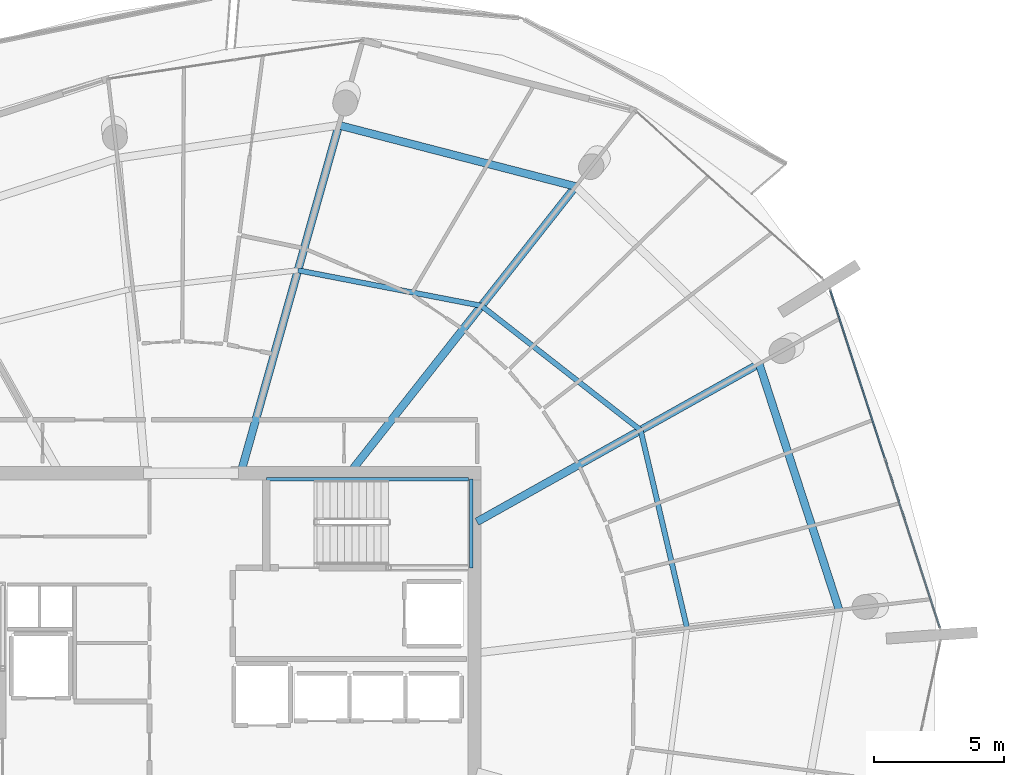
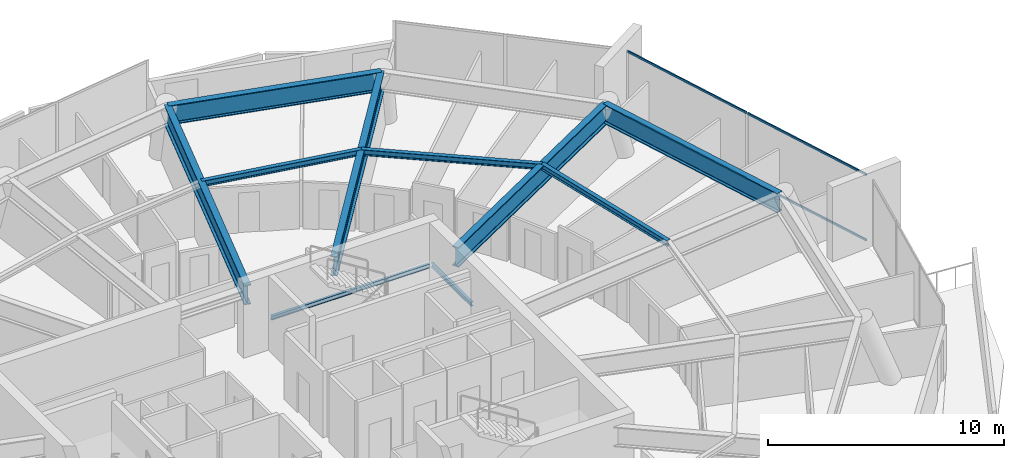
# One storey, part 13 of 27: 10 beams, 4 members, 1 element without a shape of its own.
"""IFC4 building model written with IfcOpenShell, lengths in metres."""

import ifcopenshell
import ifcopenshell.guid

model = None  # the IFC model being written
_history = None  # IfcOwnerHistory: only IFC2X3 demands one
_inside = {}  # id of a spatial element -> (the spatial element, [elements in it])
_under = {}  # id of a project, library or spatial element -> (it, [spatial elements below it])
_declared = {}  # id of a project -> (the project, [libraries it declares])
_typed = {}  # id of a type object -> (the type object, [elements of that type])
_made_of = {}  # id of a material, layer set ... -> (it, [elements and type objects made of it])


def new_model(schema):
    """Start an empty IFC model of exactly this schema.

    Asked for "IFC4X3", IfcOpenShell would pick the latest addendum, in which some entities
    have other attributes; the version numbers below select the first issue.
    IFC2X3 requires an IfcOwnerHistory on every rooted entity: one is made here for all.
    """
    global model, _history
    if schema == "IFC4X3":
        model = ifcopenshell.file(schema_version=(4, 3, 0, 0))
    else:
        model = ifcopenshell.file(schema=schema)
    _inside.clear()
    _under.clear()
    _declared.clear()
    _typed.clear()
    _made_of.clear()
    _history = None
    if model.schema == "IFC2X3":
        org = make("IfcOrganization", Name="unknown")
        user = make(
            "IfcPersonAndOrganization",
            ThePerson=make("IfcPerson", FamilyName="unknown"),
            TheOrganization=org,
        )
        app = make(
            "IfcApplication",
            ApplicationDeveloper=org,
            Version="unknown",
            ApplicationFullName="unknown",
            ApplicationIdentifier="unknown",
        )
        _history = make(
            "IfcOwnerHistory",
            OwningUser=user,
            OwningApplication=app,
            ChangeAction="ADDED",
            CreationDate=0,
        )
    return model


def make(cls, **values):
    """One entity of the class cls with the attributes given. An attribute that is None is left unset."""
    return model.create_entity(
        cls, **{name: value for name, value in values.items() if value is not None}
    )


def rooted(cls, **values):
    """An entity with a GlobalId (a new one), such as an element, a storey or a relation."""
    return make(cls, GlobalId=ifcopenshell.guid.new(), OwnerHistory=_history, **values)


def si_unit(unit_type, name, prefix=None):
    """IfcSIUnit, for example si_unit("LENGTHUNIT", "METRE", prefix="MILLI")."""
    return make("IfcSIUnit", UnitType=unit_type, Prefix=prefix, Name=name)


def assignment(units):
    """IfcUnitAssignment: the units of a project."""
    return None if units is None else make("IfcUnitAssignment", Units=units)


def point(xyz):
    """IfcCartesianPoint."""
    return None if xyz is None else make("IfcCartesianPoint", Coordinates=xyz)


def direction(xyz):
    """IfcDirection."""
    return None if xyz is None else make("IfcDirection", DirectionRatios=xyz)


def frame(location, z_axis=None, x_axis=None):
    """IfcAxis2Placement3D, a coordinate frame: its origin and axes. An axis left out is left unset."""
    return make(
        "IfcAxis2Placement3D",
        Location=point(location),
        Axis=direction(z_axis),
        RefDirection=direction(x_axis),
    )


def frame_2d(location, x_axis=None):
    """IfcAxis2Placement2D, a coordinate frame in the plane: its origin and x axis."""
    return make(
        "IfcAxis2Placement2D", Location=point(location), RefDirection=direction(x_axis)
    )


def origin():
    """The frame at (0, 0, 0) with its axes left unset."""
    return frame((0.0, 0.0, 0.0))


def origin_2d():
    """The frame at (0, 0) in the plane with its x axis left unset."""
    return frame_2d((0.0, 0.0))


def place(relative_to, where):
    """IfcLocalPlacement: puts the frame where relative to a parent placement (None: the world)."""
    return make(
        "IfcLocalPlacement", PlacementRelTo=relative_to, RelativePlacement=where
    )


def context(
    kind, dimensions, precision=None, world=None, true_north=None, identifier=None
):
    """IfcGeometricRepresentationContext, for example the 3D "Model" context."""
    return make(
        "IfcGeometricRepresentationContext",
        ContextIdentifier=identifier,
        ContextType=kind,
        CoordinateSpaceDimension=dimensions,
        Precision=precision,
        WorldCoordinateSystem=world,
        TrueNorth=true_north,
    )


def subcontext(parent, identifier, kind, view, scale=None):
    """IfcGeometricRepresentationSubContext, for example "Body" below "Model"."""
    return make(
        "IfcGeometricRepresentationSubContext",
        ContextIdentifier=identifier,
        ContextType=kind,
        ParentContext=parent,
        TargetScale=scale,
        TargetView=view,
    )


def project(units=None, contexts=None):
    """IfcProject with its units and contexts."""
    return rooted(
        "IfcProject",
        Name="project",
        RepresentationContexts=contexts,
        UnitsInContext=assignment(units),
    )


def spatial(cls, under=None, at=None, **own):
    """A site, building, storey or space (cls), placed at a placement, below another one or the project."""
    s = rooted(cls, ObjectPlacement=at, **own)
    if under is not None:
        _under.setdefault(under.id(), (under, []))[1].append(s)
    return s


def profile(cls, at=None, kind="AREA", **sizes):
    """A parametric profile (cls). Its sizes go by their IFC names, for example OverallWidth=200.0."""
    return make(cls, ProfileType=kind, Position=at, **sizes)


def rectangle(**sizes):
    """IfcRectangleProfileDef."""
    return profile("IfcRectangleProfileDef", **sizes)


def i_section(**sizes):
    """IfcIShapeProfileDef."""
    return profile("IfcIShapeProfileDef", **sizes)


def extrude(swept, where, along, depth):
    """IfcExtrudedAreaSolid: the profile swept, set in the frame where, extruded along a direction by depth."""
    return make(
        "IfcExtrudedAreaSolid",
        SweptArea=swept,
        Position=where,
        ExtrudedDirection=direction(along),
        Depth=depth,
    )


def shape(context_of_items, identifier, shape_type, items):
    """IfcShapeRepresentation: the items that make up one representation, for example the "Body"."""
    return make(
        "IfcShapeRepresentation",
        ContextOfItems=context_of_items,
        RepresentationIdentifier=identifier,
        RepresentationType=shape_type,
        Items=items,
    )


def material(Name=None, Category=None):
    """IfcMaterial."""
    return make("IfcMaterial", Name=Name, Category=Category)


def layer(
    of_material, thickness, ventilated=None, Name=None, Category=None, Priority=None
):
    """IfcMaterialLayer: one layer of a wall or slab, of a material (None: an air gap)."""
    return make(
        "IfcMaterialLayer",
        Material=of_material,
        LayerThickness=thickness,
        IsVentilated=ventilated,
        Name=Name,
        Category=Category,
        Priority=Priority,
    )


def layer_set(layers, Name=None):
    """IfcMaterialLayerSet."""
    return make("IfcMaterialLayerSet", MaterialLayers=layers, LayerSetName=Name)


def material_profile(
    of_material, cross_section, Name=None, Category=None, Priority=None
):
    """IfcMaterialProfile: a cross section and its material."""
    return make(
        "IfcMaterialProfile",
        Name=Name,
        Material=of_material,
        Profile=cross_section,
        Priority=Priority,
        Category=Category,
    )


def profile_set(profiles, Name=None, composite=None):
    """IfcMaterialProfileSet."""
    return make(
        "IfcMaterialProfileSet",
        Name=Name,
        MaterialProfiles=profiles,
        CompositeProfile=composite,
    )


def made_of(thing, what):
    """Note that an element or type object is made of a material, layer set ...; save() writes the relation."""
    if what is not None:
        _made_of.setdefault(what.id(), (what, []))[1].append(thing)
    return thing


def type_object(cls, material=None, **own):
    """A type object (cls), such as IfcWallType, which elements share."""
    return made_of(rooted(cls, **own), material)


def element(
    cls,
    number,
    at=None,
    inside=None,
    cuts=None,
    type_object=None,
    material=None,
    context=None,
    identifier="Body",
    shape_type=None,
    held_by="IfcProductDefinitionShape",
    body=None,
    shapes=None,
    **own,
):
    """One element of the class cls, such as IfcWall. Its Tag is "e" and its number.

    at: its placement. inside: the storey or other place that contains it. cuts: it is an
    opening in that element (IfcRelVoidsElement). A single representation is given by context,
    identifier, shape_type and body (its items); several are given by shapes. held_by: the class
    of the entity that holds the representations. save() writes the other relations.
    """
    e = rooted(cls, Tag="e%d" % number, ObjectPlacement=at, **own)
    if body is not None:
        shapes = [shape(context, identifier, shape_type, body)]
    if shapes is not None:
        e.Representation = make(held_by, Representations=shapes)
    if inside is not None:
        _inside.setdefault(inside.id(), (inside, []))[1].append(e)
    if cuts is not None:
        rooted(
            "IfcRelVoidsElement", RelatingBuildingElement=cuts, RelatedOpeningElement=e
        )
    if type_object is not None:
        _typed.setdefault(type_object.id(), (type_object, []))[1].append(e)
    return made_of(e, material)


def aggregate(whole, parts):
    """IfcRelAggregates: a whole, such as a stair, and the parts it consists of."""
    return rooted("IfcRelAggregates", RelatingObject=whole, RelatedObjects=parts)


def save(model, path):
    """Write the relations noted so far, then the file.

    IfcRelAggregates (storeys below a building ...), IfcRelContainedInSpatialStructure (elements
    in a storey), IfcRelDefinesByType, IfcRelAssociatesMaterial and IfcRelDeclares: one each for
    every whole, place, type object, material and project.
    """
    for whole, parts in _under.values():
        aggregate(whole, parts)
    for where, things in _inside.values():
        rooted(
            "IfcRelContainedInSpatialStructure",
            RelatedElements=things,
            RelatingStructure=where,
        )
    for kind, things in _typed.values():
        rooted("IfcRelDefinesByType", RelatedObjects=things, RelatingType=kind)
    for what, things in _made_of.values():
        rooted("IfcRelAssociatesMaterial", RelatedObjects=things, RelatingMaterial=what)
    for by, libraries in _declared.values():
        rooted("IfcRelDeclares", RelatingContext=by, RelatedDefinitions=libraries)
    model.write(path)


model = new_model("IFC4")

# Units and contexts
model_context = context("Model", 3, precision=1e-05, world=origin(), true_north=direction((0.0, 1.0)))
body_context = subcontext(model_context, "Body", "Model", "MODEL_VIEW")
ifc_project = project(units=[si_unit("LENGTHUNIT", "METRE"), si_unit("AREAUNIT", "SQUARE_METRE"), si_unit("VOLUMEUNIT", "CUBIC_METRE"), si_unit("PLANEANGLEUNIT", "RADIAN"), si_unit("MASSUNIT", "GRAM", prefix="KILO")], contexts=[model_context])

# Site, building, storey
site_placement = place(None, origin())
site = spatial("IfcSite", under=ifc_project, at=site_placement, CompositionType="ELEMENT")
building_placement = place(site_placement, origin())
building = spatial("IfcBuilding", under=site, at=building_placement, Name="Kazma Halo Residences", CompositionType="ELEMENT")
storey_placement = place(building_placement, frame((0.0, 0.0, 306.0)))
storey = spatial("IfcBuildingStorey", under=building, at=storey_placement, Name="L77", CompositionType="ELEMENT", Elevation=306.0)

# Beams
ifc_material_1 = material(Name="Steel S355", Category="steel")
ifc_material_profile_1 = material_profile(ifc_material_1, i_section(OverallWidth=0.202880859375, OverallDepth=0.302978515625, WebThickness=0.007568359375, FlangeThickness=0.01318359375, FilletRadius=0.013916015625, at=origin_2d()), Name="W310x60")
ifc_profile_set_1 = profile_set([ifc_material_profile_1], Name="Steel S355")
beam_type_1 = type_object("IfcBeamType", Name="BM-SEC-W310A", PredefinedType="JOIST", material=ifc_profile_set_1)
beam_1_placement = place(storey_placement, frame((65.68798828125, 51.90576171875, 3.298583984375), z_axis=(-0.788055861144, 0.615603735951, 0.0), x_axis=(-0.615603735951, -0.788055861144, 0.0)))
element("IfcBeam", 1, at=beam_1_placement, inside=storey, type_object=beam_type_1, Name="L77 circumferential floor joist 01", PredefinedType="JOIST", context=body_context, shape_type="SweptSolid", body=[
    extrude(i_section(OverallWidth=0.202880859375, OverallDepth=0.302978515625, WebThickness=0.007568359375, FlangeThickness=0.01318359375, FilletRadius=0.013916015625, at=origin_2d()), origin(), (0.0, 0.0, 1.0), 7.758056640625),
])
beam_2_placement = place(storey_placement, frame((59.57421875, 56.681640625, 3.298583984375), z_axis=(-0.981780669147, 0.190017677307, 0.0), x_axis=(-0.190017677307, -0.981780669147, 0.0)))
element("IfcBeam", 2, at=beam_2_placement, inside=storey, type_object=beam_type_1, Name="L77 circumferential floor joist 02", PredefinedType="JOIST", context=body_context, shape_type="SweptSolid", body=[
    extrude(i_section(OverallWidth=0.202880859375, OverallDepth=0.302978515625, WebThickness=0.007568359375, FlangeThickness=0.01318359375, FilletRadius=0.013916015625, at=origin_2d()), origin(), (0.0, 0.0, 1.0), 7.1796875),
])
beam_3_placement = place(storey_placement, frame((67.470703125, 44.3046875, 3.298583984375), z_axis=(-0.228338605797, 0.97358177936, 0.0), x_axis=(-0.97358177936, -0.228338605797, 0.0)))
element("IfcBeam", 3, at=beam_3_placement, inside=storey, type_object=beam_type_1, Name="L77 circumferential floor joist 16", PredefinedType="JOIST", context=body_context, shape_type="SweptSolid", body=[
    extrude(i_section(OverallWidth=0.202880859375, OverallDepth=0.302978515625, WebThickness=0.007568359375, FlangeThickness=0.01318359375, FilletRadius=0.013916015625, at=origin_2d()), origin(), (0.0, 0.0, 1.0), 7.807373046875),
])
ifc_material_profile_2 = material_profile(ifc_material_1, i_section(OverallWidth=0.302001953125, OverallDepth=1.01806640625, WebThickness=0.021484375, FlangeThickness=0.049072265625, FilletRadius=0.028076171875, at=origin_2d()), Name="W1000x443")
ifc_profile_set_2 = profile_set([ifc_material_profile_2], Name="Steel S355")
beam_type_2 = type_object("IfcBeamType", Name="BM-TRANS-W1000A", PredefinedType="BEAM", material=ifc_profile_set_2)
beam_4_placement = place(storey_placement, frame((59.39990234375, 48.38427734375, 2.94091796875), z_axis=(0.872501660463, 0.488611146506, 0.0), x_axis=(-0.488611146506, 0.872501660463, 0.0)))
element("IfcBeam", 4, at=beam_4_placement, inside=storey, type_object=beam_type_2, Name="L77 podium radial transfer girder 01", PredefinedType="BEAM", context=body_context, shape_type="SweptSolid", body=[
    extrude(i_section(OverallWidth=0.302001953125, OverallDepth=1.01806640625, WebThickness=0.021484375, FlangeThickness=0.049072265625, FilletRadius=0.028076171875, at=origin_2d()), origin(), (0.0, 0.0, 1.0), 12.426025390625),
])
beam_5_placement = place(storey_placement, frame((54.58251953125, 50.35009765625, 2.94091796875), z_axis=(0.619108297189, 0.785305619713, 0.0), x_axis=(-0.785305619713, 0.619108297189, 0.0)))
element("IfcBeam", 5, at=beam_5_placement, inside=storey, type_object=beam_type_2, Name="L77 podium radial transfer girder 02", PredefinedType="BEAM", context=body_context, shape_type="SweptSolid", body=[
    extrude(i_section(OverallWidth=0.302001953125, OverallDepth=1.01806640625, WebThickness=0.021484375, FlangeThickness=0.049072265625, FilletRadius=0.028076171875, at=origin_2d()), origin(), (0.0, 0.0, 1.0), 13.90087890625),
])
beam_6_placement = place(storey_placement, frame((50.35498046875, 50.35009765625, 2.94091796875), z_axis=(0.271440396256, 0.962455251573, 0.0), x_axis=(-0.962455251573, 0.271440396256, 0.0)))
element("IfcBeam", 6, at=beam_6_placement, inside=storey, type_object=beam_type_2, Name="L77 podium radial transfer girder 03", PredefinedType="BEAM", context=body_context, shape_type="SweptSolid", body=[
    extrude(i_section(OverallWidth=0.302001953125, OverallDepth=1.01806640625, WebThickness=0.021484375, FlangeThickness=0.049072265625, FilletRadius=0.028076171875, at=origin_2d()), origin(), (0.0, 0.0, 1.0), 13.786376953125),
])
ifc_material_profile_3 = material_profile(ifc_material_1, i_section(OverallWidth=0.300048828125, OverallDepth=1.0, WebThickness=0.01904296875, FlangeThickness=0.0400390625, FilletRadius=0.02587890625, at=origin_2d()), Name="W1000x371")
ifc_profile_set_3 = profile_set([ifc_material_profile_3], Name="Steel S355")
beam_type_3 = type_object("IfcBeamType", Name="BM-TRANS-W1000B", PredefinedType="BEAM", material=ifc_profile_set_3)
beam_7_placement = place(storey_placement, frame((63.188720703125, 61.2666015625, 2.949951171875), z_axis=(-0.968120285702, 0.250485752913, 0.0), x_axis=(-0.250485752913, -0.968120285702, 0.0)))
element("IfcBeam", 7, at=beam_7_placement, inside=storey, type_object=beam_type_3, Name="L77 perimeter ring beam 02", PredefinedType="BEAM", context=body_context, shape_type="SweptSolid", body=[
    extrude(i_section(OverallWidth=0.300048828125, OverallDepth=1.0, WebThickness=0.01904296875, FlangeThickness=0.0400390625, FilletRadius=0.02587890625, at=origin_2d()), origin(), (0.0, 0.0, 1.0), 9.390869140625),
])
beam_8_placement = place(storey_placement, frame((73.315185546875, 44.996337890625, 2.949951171875), z_axis=(-0.309009477853, 0.951058958528, 0.0), x_axis=(-0.951058958528, -0.309009477853, 0.0)))
element("IfcBeam", 8, at=beam_8_placement, inside=storey, type_object=beam_type_3, Name="L77 perimeter ring beam 16", PredefinedType="BEAM", context=body_context, shape_type="SweptSolid", body=[
    extrude(i_section(OverallWidth=0.300048828125, OverallDepth=1.0, WebThickness=0.01904296875, FlangeThickness=0.0400390625, FilletRadius=0.02587890625, at=origin_2d()), origin(), (0.0, 0.0, 1.0), 9.9462890625),
])
ifc_material_profile_4 = material_profile(ifc_material_1, i_section(OverallWidth=0.133056640625, OverallDepth=0.20703125, WebThickness=0.005859375, FlangeThickness=0.00830078125, FilletRadius=0.010009765625, at=origin_2d()), Name="W200x26.6")
ifc_profile_set_4 = profile_set([ifc_material_profile_4], Name="Steel S355")
beam_type_4 = type_object("IfcBeamType", Name="BM-TRIM-W200", PredefinedType="BEAM", material=ifc_profile_set_4)
beam_9_placement = place(storey_placement, frame((51.31005859375, 50.02001953125, 1.6201171875), z_axis=(1.0, 0.0, 0.0), x_axis=(0.0, 1.0, 0.0)))
element("IfcBeam", 9, at=beam_9_placement, inside=storey, type_object=beam_type_4, Name="L77 ST-02 landing north wall ledger", PredefinedType="BEAM", context=body_context, shape_type="SweptSolid", body=[
    extrude(i_section(OverallWidth=0.133056640625, OverallDepth=0.20703125, WebThickness=0.005859375, FlangeThickness=0.00830078125, FilletRadius=0.010009765625, at=origin_2d()), origin(), (0.0, 0.0, 1.0), 7.760009765625),
])
beam_10_placement = place(storey_placement, frame((59.18994140625, 46.6201171875, 1.6201171875), z_axis=(0.0, 1.0, 0.0), x_axis=(-1.0, 0.0, 0.0)))
element("IfcBeam", 10, at=beam_10_placement, inside=storey, type_object=beam_type_4, Name="L77 ST-02 landing end wall ledger", PredefinedType="BEAM", context=body_context, shape_type="SweptSolid", body=[
    extrude(i_section(OverallWidth=0.133056640625, OverallDepth=0.20703125, WebThickness=0.005859375, FlangeThickness=0.00830078125, FilletRadius=0.010009765625, at=origin_2d()), origin(), (0.0, 0.0, 1.0), 3.39990234375),
])

# Curtain wall, members
ifc_material_2 = material(Name="Aluminium AW-6063 T6 and Triple-Silver Low-E Glass", Category="aluminium")
ifc_layer = layer(ifc_material_2, 0.139892578125)
ifc_layer_set = layer_set([ifc_layer], Name="Aluminium AW-6063 T6 and Triple-Silver Low-E Glass")
curtain_wall_type = type_object("IfcCurtainWallType", Name="CW-SYS-5", PredefinedType="NOTDEFINED", material=ifc_layer_set)
curtain_wall_placement = place(storey_placement, origin())
curtain_wall = element("IfcCurtainWall", 11, at=curtain_wall_placement, inside=storey, type_object=curtain_wall_type, Name="L77 unitised curtain wall B16", PredefinedType="NOTDEFINED")
ifc_material_3 = material(Name="Aluminium AW-6063 T6", Category="aluminium")
ifc_material_profile_5 = material_profile(ifc_material_3, rectangle(XDim=0.06005859375, YDim=0.10498046875, at=origin_2d()), Name="CWT-60x105")
ifc_profile_set_5 = profile_set([ifc_material_profile_5], Name="Aluminium AW-6063 T6")
member_type = type_object("IfcMemberType", Name="CW-SYS-5-TRN", PredefinedType="USERDEFINED", material=ifc_profile_set_5)
member_1_placement = place(storey_placement, frame((77.179443359375, 44.329345703125, 0.030029296875), z_axis=(-0.309015146423, 0.951057116729, 0.0), x_axis=(-0.951057116729, -0.309015146423, 0.0)))
member_1 = element("IfcMember", 12, at=member_1_placement, type_object=member_type, Name="CWS-5 transom 1.1", ObjectType="TRANSOM", PredefinedType="USERDEFINED", context=body_context, shape_type="SweptSolid", body=[
    extrude(rectangle(XDim=0.06005859375, YDim=0.10498046875, at=origin_2d()), origin(), (0.0, 0.0, 1.0), 6.771728515625),
])
member_2_placement = place(storey_placement, frame((77.179443359375, 44.329345703125, 3.419921875), z_axis=(-0.309015146423, 0.951057116729, 0.0), x_axis=(-0.951057116729, -0.309015146423, 0.0)))
member_2 = element("IfcMember", 13, at=member_2_placement, type_object=member_type, Name="CWS-5 transom 1.2", ObjectType="TRANSOM", PredefinedType="USERDEFINED", context=body_context, shape_type="SweptSolid", body=[
    extrude(rectangle(XDim=0.06005859375, YDim=0.10498046875, at=origin_2d()), origin(), (0.0, 0.0, 1.0), 6.771728515625),
])
member_3_placement = place(storey_placement, frame((75.068359375, 50.82666015625, 0.030029296875), z_axis=(-0.309015146423, 0.951057116729, 0.0), x_axis=(-0.951057116729, -0.309015146423, 0.0)))
member_3 = element("IfcMember", 14, at=member_3_placement, type_object=member_type, Name="CWS-5 transom 2.1", ObjectType="TRANSOM", PredefinedType="USERDEFINED", context=body_context, shape_type="SweptSolid", body=[
    extrude(rectangle(XDim=0.06005859375, YDim=0.10498046875, at=origin_2d()), origin(), (0.0, 0.0, 1.0), 6.771728515625),
])
member_4_placement = place(storey_placement, frame((75.068359375, 50.82666015625, 3.419921875), z_axis=(-0.309015146423, 0.951057116729, 0.0), x_axis=(-0.951057116729, -0.309015146423, 0.0)))
member_4 = element("IfcMember", 15, at=member_4_placement, type_object=member_type, Name="CWS-5 transom 2.2", ObjectType="TRANSOM", PredefinedType="USERDEFINED", context=body_context, shape_type="SweptSolid", body=[
    extrude(rectangle(XDim=0.06005859375, YDim=0.10498046875, at=origin_2d()), origin(), (0.0, 0.0, 1.0), 6.771728515625),
])
aggregate(curtain_wall, [member_1, member_2, member_3, member_4])

save(model, "model.ifc")
